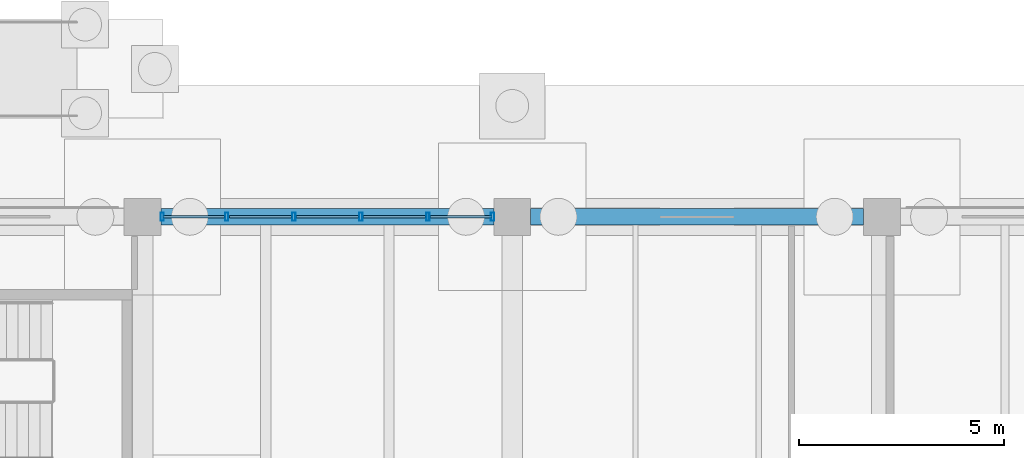
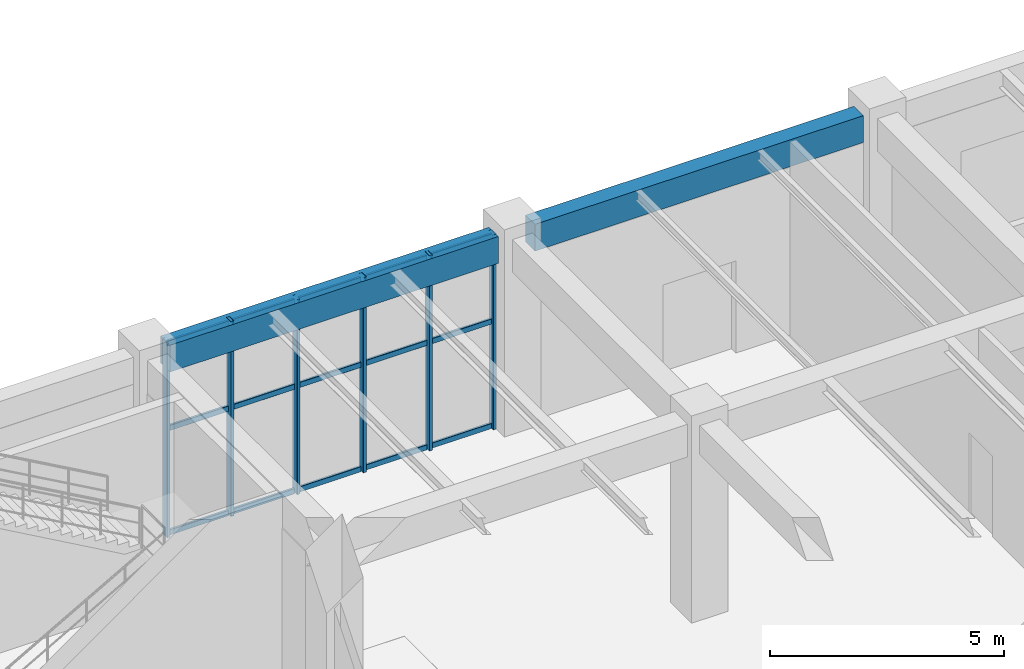
# One storey, part 78 of 121: 21 members, 2 beams, 1 element without a shape of its own.
"""IFC4 building model written with IfcOpenShell, lengths in metres."""

from ifc_helpers import new_model, si_unit, derived_unit, direction, frame, origin, origin_2d, place, context, subcontext, project, spatial, rectangle, hollow_rectangle, extrude, material, material_profile, profile_set, type_object, element, aggregate, save


model = new_model("IFC4")

# Units and contexts
model_context = context("Model", 3, precision=1e-05, world=origin(), true_north=direction((0.0, 1.0)))
body_context = subcontext(model_context, "Body", "Model", "MODEL_VIEW")
ifc_project = project(units=[si_unit("LENGTHUNIT", "METRE"), si_unit("AREAUNIT", "SQUARE_METRE"), si_unit("VOLUMEUNIT", "CUBIC_METRE"), si_unit("PLANEANGLEUNIT", "RADIAN"), si_unit("MASSUNIT", "GRAM", prefix="KILO"), derived_unit("THERMALTRANSMITTANCEUNIT", [(si_unit("MASSUNIT", "GRAM", prefix="KILO"), 1), (si_unit("TIMEUNIT", "SECOND"), -3), (si_unit("THERMODYNAMICTEMPERATUREUNIT", "KELVIN"), -1)])], contexts=[model_context])

# Site, building, storey
site_placement = place(None, origin())
site = spatial("IfcSite", under=ifc_project, at=site_placement, CompositionType="ELEMENT")
building_placement = place(site_placement, origin())
building = spatial("IfcBuilding", under=site, at=building_placement, Name="Zhenchuan Archway Interchange", CompositionType="ELEMENT")
storey_placement = place(building_placement, origin())
storey = spatial("IfcBuildingStorey", under=building, at=storey_placement, Name="L00", CompositionType="ELEMENT", Elevation=0.0)

# Curtain wall, members
ifc_material_1 = material(Name="Anodised Aluminium", Category="aluminium")
curtain_wall_type = type_object("IfcCurtainWallType", Name="CW_UNIT_1", PredefinedType="NOTDEFINED", material=ifc_material_1)
curtain_wall_placement = place(storey_placement, origin())
curtain_wall = element("IfcCurtainWall", 1, at=curtain_wall_placement, inside=storey, type_object=curtain_wall_type, Name="Unitised curtain wall CW:L00:012", PredefinedType="NOTDEFINED")
ifc_material_profile_1 = material_profile(ifc_material_1, hollow_rectangle(XDim=0.080078125, YDim=0.199951171875, WallThickness=0.00439453125, InnerFilletRadius=0.00439453125, OuterFilletRadius=0.009033203125, at=origin_2d()), Name="ALU 200x80x4.5")
ifc_profile_set_1 = profile_set([ifc_material_profile_1], Name="Anodised Aluminium")
member_type_1 = type_object("IfcMemberType", Name="CW_MUL_200", PredefinedType="MULLION", material=ifc_profile_set_1)
member_1_placement = place(storey_placement, frame((126.47802734375, 104.0, 0.0), z_axis=(0.0, 0.0, 1.0), x_axis=(1.0, 0.0, 0.0)))
member_1 = element("IfcMember", 2, at=member_1_placement, type_object=member_type_1, Name="CW:L00:012 mullion 0", PredefinedType="MULLION", context=body_context, shape_type="SweptSolid", body=[
    extrude(hollow_rectangle(XDim=0.080078125, YDim=0.199951171875, WallThickness=0.00439453125, InnerFilletRadius=0.00439453125, OuterFilletRadius=0.009033203125, at=origin_2d()), origin(), (0.0, 0.0, 1.0), 5.080078125),
])
member_2_placement = place(storey_placement, frame((128.05078125, 104.0, 0.0), z_axis=(0.0, 0.0, 1.0), x_axis=(1.0, 0.0, 0.0)))
member_2 = element("IfcMember", 3, at=member_2_placement, type_object=member_type_1, Name="CW:L00:012 mullion 1", PredefinedType="MULLION", context=body_context, shape_type="SweptSolid", body=[
    extrude(hollow_rectangle(XDim=0.080078125, YDim=0.199951171875, WallThickness=0.00439453125, InnerFilletRadius=0.00439453125, OuterFilletRadius=0.009033203125, at=origin_2d()), origin(), (0.0, 0.0, 1.0), 5.080078125),
])
member_3_placement = place(storey_placement, frame((129.68359375, 104.0, 0.0), z_axis=(0.0, 0.0, 1.0), x_axis=(1.0, 0.0, 0.0)))
member_3 = element("IfcMember", 4, at=member_3_placement, type_object=member_type_1, Name="CW:L00:012 mullion 2", PredefinedType="MULLION", context=body_context, shape_type="SweptSolid", body=[
    extrude(hollow_rectangle(XDim=0.080078125, YDim=0.199951171875, WallThickness=0.00439453125, InnerFilletRadius=0.00439453125, OuterFilletRadius=0.009033203125, at=origin_2d()), origin(), (0.0, 0.0, 1.0), 5.080078125),
])
member_4_placement = place(storey_placement, frame((131.31640625, 104.0, 0.0), z_axis=(0.0, 0.0, 1.0), x_axis=(1.0, 0.0, 0.0)))
member_4 = element("IfcMember", 5, at=member_4_placement, type_object=member_type_1, Name="CW:L00:012 mullion 3", PredefinedType="MULLION", context=body_context, shape_type="SweptSolid", body=[
    extrude(hollow_rectangle(XDim=0.080078125, YDim=0.199951171875, WallThickness=0.00439453125, InnerFilletRadius=0.00439453125, OuterFilletRadius=0.009033203125, at=origin_2d()), origin(), (0.0, 0.0, 1.0), 5.080078125),
])
member_5_placement = place(storey_placement, frame((132.94921875, 104.0, 0.0), z_axis=(0.0, 0.0, 1.0), x_axis=(1.0, 0.0, 0.0)))
member_5 = element("IfcMember", 6, at=member_5_placement, type_object=member_type_1, Name="CW:L00:012 mullion 4", PredefinedType="MULLION", context=body_context, shape_type="SweptSolid", body=[
    extrude(hollow_rectangle(XDim=0.080078125, YDim=0.199951171875, WallThickness=0.00439453125, InnerFilletRadius=0.00439453125, OuterFilletRadius=0.009033203125, at=origin_2d()), origin(), (0.0, 0.0, 1.0), 5.080078125),
])
member_6_placement = place(storey_placement, frame((134.52197265625, 104.0, 0.0), z_axis=(0.0, 0.0, 1.0), x_axis=(1.0, 0.0, 0.0)))
member_6 = element("IfcMember", 7, at=member_6_placement, type_object=member_type_1, Name="CW:L00:012 mullion 5", PredefinedType="MULLION", context=body_context, shape_type="SweptSolid", body=[
    extrude(hollow_rectangle(XDim=0.080078125, YDim=0.199951171875, WallThickness=0.00439453125, InnerFilletRadius=0.00439453125, OuterFilletRadius=0.009033203125, at=origin_2d()), origin(), (0.0, 0.0, 1.0), 5.080078125),
])
ifc_material_profile_2 = material_profile(ifc_material_1, hollow_rectangle(XDim=0.06005859375, YDim=0.139892578125, WallThickness=0.00341796875, InnerFilletRadius=0.00341796875, OuterFilletRadius=0.007080078125, at=origin_2d()), Name="ALU 140x60x3.5")
ifc_profile_set_2 = profile_set([ifc_material_profile_2], Name="Anodised Aluminium")
member_type_2 = type_object("IfcMemberType", Name="CW_TRN_140", PredefinedType="USERDEFINED", material=ifc_profile_set_2)
member_7_placement = place(storey_placement, frame((126.498046875, 104.0, 0.06005859375), z_axis=(1.0, 0.0, 0.0), x_axis=(0.0, 1.0, 0.0)))
member_7 = element("IfcMember", 8, at=member_7_placement, type_object=member_type_2, Name="CW:L00:012 transom 0-1", ObjectType="TRANSOM", PredefinedType="USERDEFINED", context=body_context, shape_type="SweptSolid", body=[
    extrude(hollow_rectangle(XDim=0.06005859375, YDim=0.139892578125, WallThickness=0.00341796875, InnerFilletRadius=0.00341796875, OuterFilletRadius=0.007080078125, at=origin_2d()), origin(), (0.0, 0.0, 1.0), 1.49267578125),
])
member_8_placement = place(storey_placement, frame((126.498046875, 104.0, 2.782958984375), z_axis=(1.0, 0.0, 0.0), x_axis=(0.0, 1.0, 0.0)))
member_8 = element("IfcMember", 9, at=member_8_placement, type_object=member_type_2, Name="CW:L00:012 transom 0-2", ObjectType="TRANSOM", PredefinedType="USERDEFINED", context=body_context, shape_type="SweptSolid", body=[
    extrude(hollow_rectangle(XDim=0.06005859375, YDim=0.139892578125, WallThickness=0.00341796875, InnerFilletRadius=0.00341796875, OuterFilletRadius=0.007080078125, at=origin_2d()), origin(), (0.0, 0.0, 1.0), 1.49267578125),
])
member_9_placement = place(storey_placement, frame((126.498046875, 104.0, 5.0), z_axis=(1.0, 0.0, 0.0), x_axis=(0.0, 1.0, 0.0)))
member_9 = element("IfcMember", 10, at=member_9_placement, type_object=member_type_2, Name="CW:L00:012 transom 0-3", ObjectType="TRANSOM", PredefinedType="USERDEFINED", context=body_context, shape_type="SweptSolid", body=[
    extrude(hollow_rectangle(XDim=0.06005859375, YDim=0.139892578125, WallThickness=0.00341796875, InnerFilletRadius=0.00341796875, OuterFilletRadius=0.007080078125, at=origin_2d()), origin(), (0.0, 0.0, 1.0), 1.49267578125),
])
member_10_placement = place(storey_placement, frame((128.11083984375, 104.0, 0.06005859375), z_axis=(1.0, 0.0, 0.0), x_axis=(0.0, 1.0, 0.0)))
member_10 = element("IfcMember", 11, at=member_10_placement, type_object=member_type_2, Name="CW:L00:012 transom 1-1", ObjectType="TRANSOM", PredefinedType="USERDEFINED", context=body_context, shape_type="SweptSolid", body=[
    extrude(hollow_rectangle(XDim=0.06005859375, YDim=0.139892578125, WallThickness=0.00341796875, InnerFilletRadius=0.00341796875, OuterFilletRadius=0.007080078125, at=origin_2d()), origin(), (0.0, 0.0, 1.0), 1.5126953125),
])
member_11_placement = place(storey_placement, frame((128.11083984375, 104.0, 2.782958984375), z_axis=(1.0, 0.0, 0.0), x_axis=(0.0, 1.0, 0.0)))
member_11 = element("IfcMember", 12, at=member_11_placement, type_object=member_type_2, Name="CW:L00:012 transom 1-2", ObjectType="TRANSOM", PredefinedType="USERDEFINED", context=body_context, shape_type="SweptSolid", body=[
    extrude(hollow_rectangle(XDim=0.06005859375, YDim=0.139892578125, WallThickness=0.00341796875, InnerFilletRadius=0.00341796875, OuterFilletRadius=0.007080078125, at=origin_2d()), origin(), (0.0, 0.0, 1.0), 1.5126953125),
])
member_12_placement = place(storey_placement, frame((128.11083984375, 104.0, 5.0), z_axis=(1.0, 0.0, 0.0), x_axis=(0.0, 1.0, 0.0)))
member_12 = element("IfcMember", 13, at=member_12_placement, type_object=member_type_2, Name="CW:L00:012 transom 1-3", ObjectType="TRANSOM", PredefinedType="USERDEFINED", context=body_context, shape_type="SweptSolid", body=[
    extrude(hollow_rectangle(XDim=0.06005859375, YDim=0.139892578125, WallThickness=0.00341796875, InnerFilletRadius=0.00341796875, OuterFilletRadius=0.007080078125, at=origin_2d()), origin(), (0.0, 0.0, 1.0), 1.5126953125),
])
member_13_placement = place(storey_placement, frame((129.74365234375, 104.0, 0.06005859375), z_axis=(1.0, 0.0, 0.0), x_axis=(0.0, 1.0, 0.0)))
member_13 = element("IfcMember", 14, at=member_13_placement, type_object=member_type_2, Name="CW:L00:012 transom 2-1", ObjectType="TRANSOM", PredefinedType="USERDEFINED", context=body_context, shape_type="SweptSolid", body=[
    extrude(hollow_rectangle(XDim=0.06005859375, YDim=0.139892578125, WallThickness=0.00341796875, InnerFilletRadius=0.00341796875, OuterFilletRadius=0.007080078125, at=origin_2d()), origin(), (0.0, 0.0, 1.0), 1.5126953125),
])
member_14_placement = place(storey_placement, frame((129.74365234375, 104.0, 2.782958984375), z_axis=(1.0, 0.0, 0.0), x_axis=(0.0, 1.0, 0.0)))
member_14 = element("IfcMember", 15, at=member_14_placement, type_object=member_type_2, Name="CW:L00:012 transom 2-2", ObjectType="TRANSOM", PredefinedType="USERDEFINED", context=body_context, shape_type="SweptSolid", body=[
    extrude(hollow_rectangle(XDim=0.06005859375, YDim=0.139892578125, WallThickness=0.00341796875, InnerFilletRadius=0.00341796875, OuterFilletRadius=0.007080078125, at=origin_2d()), origin(), (0.0, 0.0, 1.0), 1.5126953125),
])
member_15_placement = place(storey_placement, frame((129.74365234375, 104.0, 5.0), z_axis=(1.0, 0.0, 0.0), x_axis=(0.0, 1.0, 0.0)))
member_15 = element("IfcMember", 16, at=member_15_placement, type_object=member_type_2, Name="CW:L00:012 transom 2-3", ObjectType="TRANSOM", PredefinedType="USERDEFINED", context=body_context, shape_type="SweptSolid", body=[
    extrude(hollow_rectangle(XDim=0.06005859375, YDim=0.139892578125, WallThickness=0.00341796875, InnerFilletRadius=0.00341796875, OuterFilletRadius=0.007080078125, at=origin_2d()), origin(), (0.0, 0.0, 1.0), 1.5126953125),
])
member_16_placement = place(storey_placement, frame((131.37646484375, 104.0, 0.06005859375), z_axis=(1.0, 0.0, 0.0), x_axis=(0.0, 1.0, 0.0)))
member_16 = element("IfcMember", 17, at=member_16_placement, type_object=member_type_2, Name="CW:L00:012 transom 3-1", ObjectType="TRANSOM", PredefinedType="USERDEFINED", context=body_context, shape_type="SweptSolid", body=[
    extrude(hollow_rectangle(XDim=0.06005859375, YDim=0.139892578125, WallThickness=0.00341796875, InnerFilletRadius=0.00341796875, OuterFilletRadius=0.007080078125, at=origin_2d()), origin(), (0.0, 0.0, 1.0), 1.5126953125),
])
member_17_placement = place(storey_placement, frame((131.37646484375, 104.0, 2.782958984375), z_axis=(1.0, 0.0, 0.0), x_axis=(0.0, 1.0, 0.0)))
member_17 = element("IfcMember", 18, at=member_17_placement, type_object=member_type_2, Name="CW:L00:012 transom 3-2", ObjectType="TRANSOM", PredefinedType="USERDEFINED", context=body_context, shape_type="SweptSolid", body=[
    extrude(hollow_rectangle(XDim=0.06005859375, YDim=0.139892578125, WallThickness=0.00341796875, InnerFilletRadius=0.00341796875, OuterFilletRadius=0.007080078125, at=origin_2d()), origin(), (0.0, 0.0, 1.0), 1.5126953125),
])
member_18_placement = place(storey_placement, frame((131.37646484375, 104.0, 5.0), z_axis=(1.0, 0.0, 0.0), x_axis=(0.0, 1.0, 0.0)))
member_18 = element("IfcMember", 19, at=member_18_placement, type_object=member_type_2, Name="CW:L00:012 transom 3-3", ObjectType="TRANSOM", PredefinedType="USERDEFINED", context=body_context, shape_type="SweptSolid", body=[
    extrude(hollow_rectangle(XDim=0.06005859375, YDim=0.139892578125, WallThickness=0.00341796875, InnerFilletRadius=0.00341796875, OuterFilletRadius=0.007080078125, at=origin_2d()), origin(), (0.0, 0.0, 1.0), 1.5126953125),
])
member_19_placement = place(storey_placement, frame((133.00927734375, 104.0, 0.06005859375), z_axis=(1.0, 0.0, 0.0), x_axis=(0.0, 1.0, 0.0)))
member_19 = element("IfcMember", 20, at=member_19_placement, type_object=member_type_2, Name="CW:L00:012 transom 4-1", ObjectType="TRANSOM", PredefinedType="USERDEFINED", context=body_context, shape_type="SweptSolid", body=[
    extrude(hollow_rectangle(XDim=0.06005859375, YDim=0.139892578125, WallThickness=0.00341796875, InnerFilletRadius=0.00341796875, OuterFilletRadius=0.007080078125, at=origin_2d()), origin(), (0.0, 0.0, 1.0), 1.49267578125),
])
member_20_placement = place(storey_placement, frame((133.00927734375, 104.0, 2.782958984375), z_axis=(1.0, 0.0, 0.0), x_axis=(0.0, 1.0, 0.0)))
member_20 = element("IfcMember", 21, at=member_20_placement, type_object=member_type_2, Name="CW:L00:012 transom 4-2", ObjectType="TRANSOM", PredefinedType="USERDEFINED", context=body_context, shape_type="SweptSolid", body=[
    extrude(hollow_rectangle(XDim=0.06005859375, YDim=0.139892578125, WallThickness=0.00341796875, InnerFilletRadius=0.00341796875, OuterFilletRadius=0.007080078125, at=origin_2d()), origin(), (0.0, 0.0, 1.0), 1.49267578125),
])
member_21_placement = place(storey_placement, frame((133.00927734375, 104.0, 5.0), z_axis=(1.0, 0.0, 0.0), x_axis=(0.0, 1.0, 0.0)))
member_21 = element("IfcMember", 22, at=member_21_placement, type_object=member_type_2, Name="CW:L00:012 transom 4-3", ObjectType="TRANSOM", PredefinedType="USERDEFINED", context=body_context, shape_type="SweptSolid", body=[
    extrude(hollow_rectangle(XDim=0.06005859375, YDim=0.139892578125, WallThickness=0.00341796875, InnerFilletRadius=0.00341796875, OuterFilletRadius=0.007080078125, at=origin_2d()), origin(), (0.0, 0.0, 1.0), 1.49267578125),
])
aggregate(curtain_wall, [member_1, member_2, member_3, member_4, member_5, member_6, member_7, member_8, member_9, member_10, member_11, member_12, member_13, member_14, member_15, member_16, member_17, member_18, member_19, member_20, member_21])

# Beams
ifc_material_2 = material(Name="Concrete C40", Category="concrete")
ifc_material_profile_3 = material_profile(ifc_material_2, rectangle(XDim=0.39990234375, YDim=0.699951171875, at=origin_2d()), Name="RC 400x700")
ifc_profile_set_3 = profile_set([ifc_material_profile_3], Name="Concrete C40")
beam_type = type_object("IfcBeamType", Name="SP_RC_400x700", PredefinedType="SPANDREL", material=ifc_profile_set_3)
for number, where, z_axis, x_axis, name in (
    (23, (126.449951171875, 104.0, 4.72998046875), (1.0, 0.0, 0.0), (0.0, 1.0, 0.0), "Beam O:15-16 (L00)"),
    (24, (135.449951171875, 104.0, 4.72998046875), (1.0, 0.0, 0.0), (0.0, 1.0, 0.0), "Beam O:16-17 (L00)"),
):
    element("IfcBeam", number, at=place(storey_placement, frame(where, z_axis=z_axis, x_axis=x_axis)), inside=storey, type_object=beam_type, Name=name, PredefinedType="SPANDREL", context=body_context, shape_type="SweptSolid", body=[
        extrude(rectangle(XDim=0.39990234375, YDim=0.699951171875, at=origin_2d()), origin(), (0.0, 0.0, 1.0), 8.10009765625),
    ])

save(model, "model.ifc")
